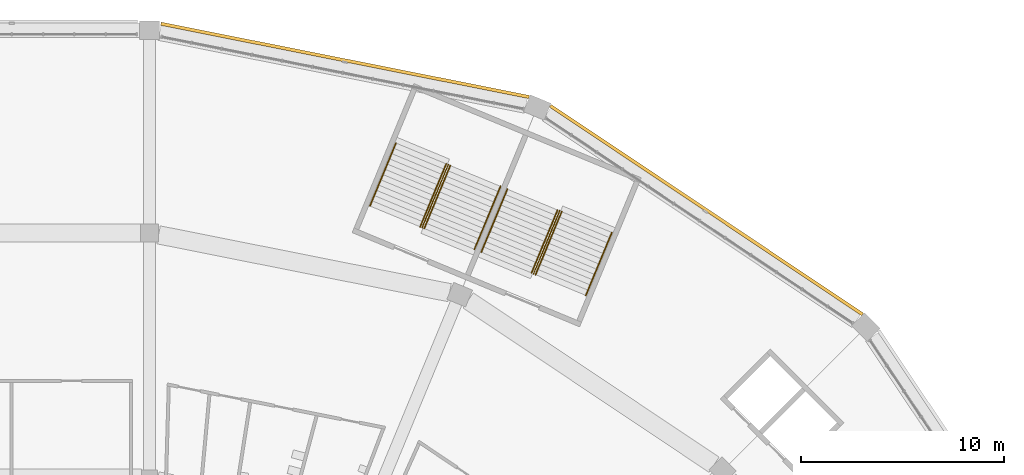
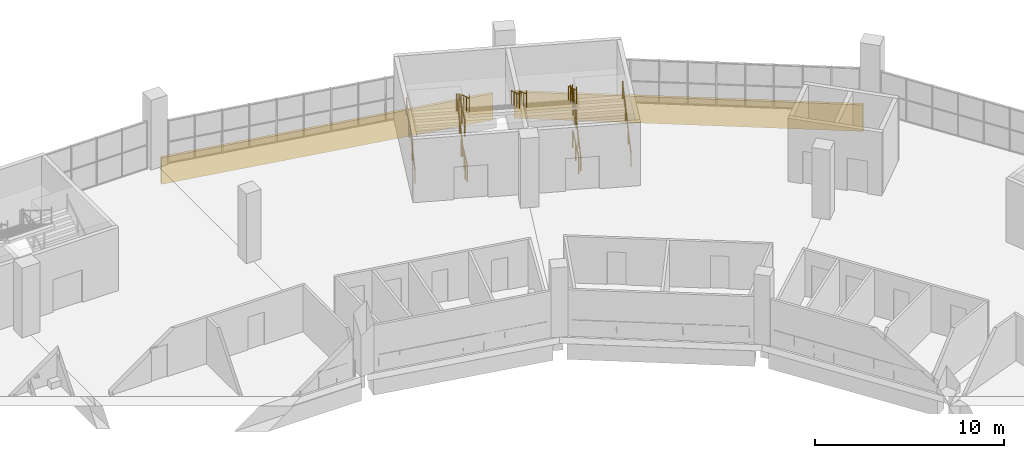
# One storey, part 192 of 199: 12 railings, 2 coverings.
"""IFC4 building model written with IfcOpenShell, lengths in metres."""

import ifcopenshell
import ifcopenshell.guid

model = None  # the IFC model being written
_history = None  # IfcOwnerHistory: only IFC2X3 demands one
_inside = {}  # id of a spatial element -> (the spatial element, [elements in it])
_under = {}  # id of a project, library or spatial element -> (it, [spatial elements below it])
_declared = {}  # id of a project -> (the project, [libraries it declares])
_typed = {}  # id of a type object -> (the type object, [elements of that type])
_made_of = {}  # id of a material, layer set ... -> (it, [elements and type objects made of it])


def new_model(schema):
    """Start an empty IFC model of exactly this schema.

    Asked for "IFC4X3", IfcOpenShell would pick the latest addendum, in which some entities
    have other attributes; the version numbers below select the first issue.
    IFC2X3 requires an IfcOwnerHistory on every rooted entity: one is made here for all.
    """
    global model, _history
    if schema == "IFC4X3":
        model = ifcopenshell.file(schema_version=(4, 3, 0, 0))
    else:
        model = ifcopenshell.file(schema=schema)
    _inside.clear()
    _under.clear()
    _declared.clear()
    _typed.clear()
    _made_of.clear()
    _history = None
    if model.schema == "IFC2X3":
        org = make("IfcOrganization", Name="unknown")
        user = make(
            "IfcPersonAndOrganization",
            ThePerson=make("IfcPerson", FamilyName="unknown"),
            TheOrganization=org,
        )
        app = make(
            "IfcApplication",
            ApplicationDeveloper=org,
            Version="unknown",
            ApplicationFullName="unknown",
            ApplicationIdentifier="unknown",
        )
        _history = make(
            "IfcOwnerHistory",
            OwningUser=user,
            OwningApplication=app,
            ChangeAction="ADDED",
            CreationDate=0,
        )
    return model


def make(cls, **values):
    """One entity of the class cls with the attributes given. An attribute that is None is left unset."""
    return model.create_entity(
        cls, **{name: value for name, value in values.items() if value is not None}
    )


def rooted(cls, **values):
    """An entity with a GlobalId (a new one), such as an element, a storey or a relation."""
    return make(cls, GlobalId=ifcopenshell.guid.new(), OwnerHistory=_history, **values)


def si_unit(unit_type, name, prefix=None):
    """IfcSIUnit, for example si_unit("LENGTHUNIT", "METRE", prefix="MILLI")."""
    return make("IfcSIUnit", UnitType=unit_type, Prefix=prefix, Name=name)


def assignment(units):
    """IfcUnitAssignment: the units of a project."""
    return None if units is None else make("IfcUnitAssignment", Units=units)


def point(xyz):
    """IfcCartesianPoint."""
    return None if xyz is None else make("IfcCartesianPoint", Coordinates=xyz)


def direction(xyz):
    """IfcDirection."""
    return None if xyz is None else make("IfcDirection", DirectionRatios=xyz)


def frame(location, z_axis=None, x_axis=None):
    """IfcAxis2Placement3D, a coordinate frame: its origin and axes. An axis left out is left unset."""
    return make(
        "IfcAxis2Placement3D",
        Location=point(location),
        Axis=direction(z_axis),
        RefDirection=direction(x_axis),
    )


def frame_2d(location, x_axis=None):
    """IfcAxis2Placement2D, a coordinate frame in the plane: its origin and x axis."""
    return make(
        "IfcAxis2Placement2D", Location=point(location), RefDirection=direction(x_axis)
    )


def origin():
    """The frame at (0, 0, 0) with its axes left unset."""
    return frame((0.0, 0.0, 0.0))


def origin_2d():
    """The frame at (0, 0) in the plane with its x axis left unset."""
    return frame_2d((0.0, 0.0))


def place(relative_to, where):
    """IfcLocalPlacement: puts the frame where relative to a parent placement (None: the world)."""
    return make(
        "IfcLocalPlacement", PlacementRelTo=relative_to, RelativePlacement=where
    )


def context(
    kind, dimensions, precision=None, world=None, true_north=None, identifier=None
):
    """IfcGeometricRepresentationContext, for example the 3D "Model" context."""
    return make(
        "IfcGeometricRepresentationContext",
        ContextIdentifier=identifier,
        ContextType=kind,
        CoordinateSpaceDimension=dimensions,
        Precision=precision,
        WorldCoordinateSystem=world,
        TrueNorth=true_north,
    )


def subcontext(parent, identifier, kind, view, scale=None):
    """IfcGeometricRepresentationSubContext, for example "Body" below "Model"."""
    return make(
        "IfcGeometricRepresentationSubContext",
        ContextIdentifier=identifier,
        ContextType=kind,
        ParentContext=parent,
        TargetScale=scale,
        TargetView=view,
    )


def project(units=None, contexts=None):
    """IfcProject with its units and contexts."""
    return rooted(
        "IfcProject",
        Name="project",
        RepresentationContexts=contexts,
        UnitsInContext=assignment(units),
    )


def spatial(cls, under=None, at=None, **own):
    """A site, building, storey or space (cls), placed at a placement, below another one or the project."""
    s = rooted(cls, ObjectPlacement=at, **own)
    if under is not None:
        _under.setdefault(under.id(), (under, []))[1].append(s)
    return s


def polyline(points):
    """IfcPolyline through the points."""
    return make("IfcPolyline", Points=[point(p) for p in points])


def profile(cls, at=None, kind="AREA", **sizes):
    """A parametric profile (cls). Its sizes go by their IFC names, for example OverallWidth=200.0."""
    return make(cls, ProfileType=kind, Position=at, **sizes)


def circle(**sizes):
    """IfcCircleProfileDef."""
    return profile("IfcCircleProfileDef", **sizes)


def outline(outer, holes=None, kind="AREA"):
    """IfcArbitraryClosedProfileDef: a profile drawn as a closed curve; with holes, ...WithVoids."""
    if holes is None:
        return make("IfcArbitraryClosedProfileDef", ProfileType=kind, OuterCurve=outer)
    return make(
        "IfcArbitraryProfileDefWithVoids",
        ProfileType=kind,
        OuterCurve=outer,
        InnerCurves=holes,
    )


def extrude(swept, where, along, depth):
    """IfcExtrudedAreaSolid: the profile swept, set in the frame where, extruded along a direction by depth."""
    return make(
        "IfcExtrudedAreaSolid",
        SweptArea=swept,
        Position=where,
        ExtrudedDirection=direction(along),
        Depth=depth,
    )


def shape(context_of_items, identifier, shape_type, items):
    """IfcShapeRepresentation: the items that make up one representation, for example the "Body"."""
    return make(
        "IfcShapeRepresentation",
        ContextOfItems=context_of_items,
        RepresentationIdentifier=identifier,
        RepresentationType=shape_type,
        Items=items,
    )


def material(Name=None, Category=None):
    """IfcMaterial."""
    return make("IfcMaterial", Name=Name, Category=Category)


def layer(
    of_material, thickness, ventilated=None, Name=None, Category=None, Priority=None
):
    """IfcMaterialLayer: one layer of a wall or slab, of a material (None: an air gap)."""
    return make(
        "IfcMaterialLayer",
        Material=of_material,
        LayerThickness=thickness,
        IsVentilated=ventilated,
        Name=Name,
        Category=Category,
        Priority=Priority,
    )


def layer_set(layers, Name=None):
    """IfcMaterialLayerSet."""
    return make("IfcMaterialLayerSet", MaterialLayers=layers, LayerSetName=Name)


def made_of(thing, what):
    """Note that an element or type object is made of a material, layer set ...; save() writes the relation."""
    if what is not None:
        _made_of.setdefault(what.id(), (what, []))[1].append(thing)
    return thing


def type_object(cls, material=None, **own):
    """A type object (cls), such as IfcWallType, which elements share."""
    return made_of(rooted(cls, **own), material)


def element(
    cls,
    number,
    at=None,
    inside=None,
    cuts=None,
    type_object=None,
    material=None,
    context=None,
    identifier="Body",
    shape_type=None,
    held_by="IfcProductDefinitionShape",
    body=None,
    shapes=None,
    **own,
):
    """One element of the class cls, such as IfcWall. Its Tag is "e" and its number.

    at: its placement. inside: the storey or other place that contains it. cuts: it is an
    opening in that element (IfcRelVoidsElement). A single representation is given by context,
    identifier, shape_type and body (its items); several are given by shapes. held_by: the class
    of the entity that holds the representations. save() writes the other relations.
    """
    e = rooted(cls, Tag="e%d" % number, ObjectPlacement=at, **own)
    if body is not None:
        shapes = [shape(context, identifier, shape_type, body)]
    if shapes is not None:
        e.Representation = make(held_by, Representations=shapes)
    if inside is not None:
        _inside.setdefault(inside.id(), (inside, []))[1].append(e)
    if cuts is not None:
        rooted(
            "IfcRelVoidsElement", RelatingBuildingElement=cuts, RelatedOpeningElement=e
        )
    if type_object is not None:
        _typed.setdefault(type_object.id(), (type_object, []))[1].append(e)
    return made_of(e, material)


def aggregate(whole, parts):
    """IfcRelAggregates: a whole, such as a stair, and the parts it consists of."""
    return rooted("IfcRelAggregates", RelatingObject=whole, RelatedObjects=parts)


def save(model, path):
    """Write the relations noted so far, then the file.

    IfcRelAggregates (storeys below a building ...), IfcRelContainedInSpatialStructure (elements
    in a storey), IfcRelDefinesByType, IfcRelAssociatesMaterial and IfcRelDeclares: one each for
    every whole, place, type object, material and project.
    """
    for whole, parts in _under.values():
        aggregate(whole, parts)
    for where, things in _inside.values():
        rooted(
            "IfcRelContainedInSpatialStructure",
            RelatedElements=things,
            RelatingStructure=where,
        )
    for kind, things in _typed.values():
        rooted("IfcRelDefinesByType", RelatedObjects=things, RelatingType=kind)
    for what, things in _made_of.values():
        rooted("IfcRelAssociatesMaterial", RelatedObjects=things, RelatingMaterial=what)
    for by, libraries in _declared.values():
        rooted("IfcRelDeclares", RelatingContext=by, RelatedDefinitions=libraries)
    model.write(path)


model = new_model("IFC4")

# Units and contexts
model_context = context("Model", 3, precision=1e-05, world=origin(), true_north=direction((0.0, 1.0)))
body_context = subcontext(model_context, "Body", "Model", "MODEL_VIEW")
ifc_project = project(units=[si_unit("LENGTHUNIT", "METRE"), si_unit("AREAUNIT", "SQUARE_METRE"), si_unit("VOLUMEUNIT", "CUBIC_METRE"), si_unit("PLANEANGLEUNIT", "RADIAN"), si_unit("MASSUNIT", "GRAM", prefix="KILO")], contexts=[model_context])

# Site, building, storey
site_placement = place(None, origin())
site = spatial("IfcSite", under=ifc_project, at=site_placement, CompositionType="ELEMENT")
building_placement = place(site_placement, origin())
building = spatial("IfcBuilding", under=site, at=building_placement, Name="Ogive Plaza Stadium", CompositionType="ELEMENT")
storey_placement = place(building_placement, frame((0.0, 0.0, 9.0)))
storey = spatial("IfcBuildingStorey", under=building, at=storey_placement, Name="L02", CompositionType="ELEMENT", Elevation=9.0)

# Railings
ifc_material_1 = material(Name="Steel ASTM A572 Grade 50", Category="steel")
railing_type_1 = type_object("IfcRailingType", Name="Guard 1100", PredefinedType="GUARDRAIL", material=ifc_material_1)
for number, where, name in (
    (1, (52.955078125, 90.48779296875, 0.0), "Stair well guard ST38A L02"),
    (2, (53.322509765625, 91.374755859375, 2.25), "Stair well guard ST38A L02"),
    (3, (47.4580078125, 92.764892578125, 0.0), "Stair well guard ST38B L02"),
    (4, (47.825439453125, 93.651611328125, 2.25), "Stair well guard ST38B L02"),
):
    element("IfcRailing", number, at=place(storey_placement, frame(where)), inside=storey, type_object=railing_type_1, Name=name, PredefinedType="GUARDRAIL", context=body_context, shape_type="SweptSolid", body=[
        extrude(circle(Radius=0.02392578125, at=origin_2d()), frame((0.0, 0.0, 1.076171875), z_axis=(0.382693194178, 0.923875488976, 0.0), x_axis=(-0.923875488976, 0.382693194178, 0.0)), (0.0, 0.0, 1.0), 2.39990234375),
        extrude(circle(Radius=0.02099609375, at=origin_2d()), origin(), (0.0, 0.0, 1.0), 1.052001953125),
        extrude(circle(Radius=0.02099609375, at=origin_2d()), frame((0.459228515625, 1.108642578125, 0.0)), (0.0, 0.0, 1.0), 1.052001953125),
        extrude(circle(Radius=0.02099609375, at=origin_2d()), frame((0.91845703125, 2.21728515625, 0.0)), (0.0, 0.0, 1.0), 1.052001953125),
    ])
ifc_material_2 = material(Name="Steel ASTM A572 Grade 50", Category="steel")
railing_type_2 = type_object("IfcRailingType", Name="Handrail 900", PredefinedType="HANDRAIL", material=ifc_material_2)
railing_1_placement = place(storey_placement, frame((55.53271484375, 89.420166015625, 0.173095703125)))
element("IfcRailing", 5, at=railing_1_placement, inside=storey, type_object=railing_type_2, Name="Handrail ST38A L02", PredefinedType="HANDRAIL", context=body_context, shape_type="SweptSolid", body=[
    extrude(circle(Radius=0.02392578125, at=origin_2d()), frame((0.0, 0.0, 0.8759765625), z_axis=(0.32553207776, 0.785862990074, 0.525783441334), x_axis=(-0.923872479269, 0.382700459954, 0.0)), (0.0, 0.0, 1.0), 3.9501953125),
    extrude(circle(Radius=0.02099609375, at=origin_2d()), origin(), (0.0, 0.0, 1.0), 0.851806640625),
    extrude(circle(Radius=0.02099609375, at=origin_2d()), frame((0.4287109375, 1.03466796875, 0.6923828125)), (0.0, 0.0, 1.0), 0.851806640625),
    extrude(circle(Radius=0.02099609375, at=origin_2d()), frame((0.857177734375, 2.069580078125, 1.384521484375)), (0.0, 0.0, 1.0), 0.851806640625),
    extrude(circle(Radius=0.02099609375, at=origin_2d()), frame((1.285888671875, 3.104248046875, 2.076904296875)), (0.0, 0.0, 1.0), 1.10009765625),
])
railing_2_placement = place(storey_placement, frame((53.056884765625, 90.44580078125, 0.173095703125)))
element("IfcRailing", 6, at=railing_2_placement, inside=storey, type_object=railing_type_2, Name="Handrail ST38A L02", PredefinedType="HANDRAIL", context=body_context, shape_type="SweptSolid", body=[
    extrude(circle(Radius=0.02392578125, at=origin_2d()), frame((0.0, 0.0, 0.8759765625), z_axis=(0.325476819766, 0.785878800478, 0.525794019321), x_axis=(-0.923898168054, 0.382638439086, 0.0)), (0.0, 0.0, 1.0), 3.949951171875),
    extrude(circle(Radius=0.02099609375, at=origin_2d()), origin(), (0.0, 0.0, 1.0), 0.851806640625),
    extrude(circle(Radius=0.02099609375, at=origin_2d()), frame((0.428466796875, 1.03466796875, 0.6923828125)), (0.0, 0.0, 1.0), 0.851806640625),
    extrude(circle(Radius=0.02099609375, at=origin_2d()), frame((0.857177734375, 2.069580078125, 1.384521484375)), (0.0, 0.0, 1.0), 0.851806640625),
    extrude(circle(Radius=0.02099609375, at=origin_2d()), frame((1.28564453125, 3.104248046875, 2.076904296875)), (0.0, 0.0, 1.0), 1.10009765625),
])
railing_3_placement = place(storey_placement, frame((54.139404296875, 93.634033203125, 2.423095703125)))
element("IfcRailing", 7, at=railing_3_placement, inside=storey, type_object=railing_type_2, Name="Handrail ST38A L02", PredefinedType="HANDRAIL", context=body_context, shape_type="SweptSolid", body=[
    extrude(circle(Radius=0.02392578125, at=origin_2d()), frame((0.0, 0.0, 0.8759765625), z_axis=(-0.325547889718, -0.78583935255, 0.525808980033), x_axis=(0.923861836433, -0.382726151683, 0.0)), (0.0, 0.0, 1.0), 3.949951171875),
    extrude(circle(Radius=0.02099609375, at=origin_2d()), origin(), (0.0, 0.0, 1.0), 0.851806640625),
    extrude(circle(Radius=0.02099609375, at=origin_2d()), frame((-0.4287109375, -1.03466796875, 0.6923828125)), (0.0, 0.0, 1.0), 0.851806640625),
    extrude(circle(Radius=0.02099609375, at=origin_2d()), frame((-0.857177734375, -2.0693359375, 1.384521484375)), (0.0, 0.0, 1.0), 0.851806640625),
    extrude(circle(Radius=0.02099609375, at=origin_2d()), frame((-1.285888671875, -3.10400390625, 2.076904296875)), (0.0, 0.0, 1.0), 1.10009765625),
])
railing_4_placement = place(storey_placement, frame((51.663330078125, 94.65966796875, 2.423095703125)))
element("IfcRailing", 8, at=railing_4_placement, inside=storey, type_object=railing_type_2, Name="Handrail ST38A L02", PredefinedType="HANDRAIL", context=body_context, shape_type="SweptSolid", body=[
    extrude(circle(Radius=0.02392578125, at=origin_2d()), frame((0.0, 0.0, 0.8759765625), z_axis=(-0.32553207776, -0.785862990074, 0.525783441334), x_axis=(0.923872479269, -0.382700459954, 0.0)), (0.0, 0.0, 1.0), 3.9501953125),
    extrude(circle(Radius=0.02099609375, at=origin_2d()), origin(), (0.0, 0.0, 1.0), 0.851806640625),
    extrude(circle(Radius=0.02099609375, at=origin_2d()), frame((-0.4287109375, -1.03466796875, 0.6923828125)), (0.0, 0.0, 1.0), 0.851806640625),
    extrude(circle(Radius=0.02099609375, at=origin_2d()), frame((-0.857177734375, -2.069580078125, 1.384521484375)), (0.0, 0.0, 1.0), 0.851806640625),
    extrude(circle(Radius=0.02099609375, at=origin_2d()), frame((-1.285888671875, -3.104248046875, 2.076904296875)), (0.0, 0.0, 1.0), 1.10009765625),
])
for number, where, name in (
    (9, (47.3564453125, 92.806884765625, 0.173095703125), "Handrail ST38B L02"),
    (10, (44.88037109375, 93.83251953125, 0.173095703125), "Handrail ST38B L02"),
):
    element("IfcRailing", number, at=place(storey_placement, frame(where)), inside=storey, type_object=railing_type_2, Name=name, PredefinedType="HANDRAIL", context=body_context, shape_type="SweptSolid", body=[
        extrude(circle(Radius=0.02392578125, at=origin_2d()), frame((0.0, 0.0, 0.8759765625), z_axis=(0.32553207776, 0.785862990074, 0.525783441334), x_axis=(-0.923872479269, 0.382700459954, 0.0)), (0.0, 0.0, 1.0), 3.9501953125),
        extrude(circle(Radius=0.02099609375, at=origin_2d()), origin(), (0.0, 0.0, 1.0), 0.851806640625),
        extrude(circle(Radius=0.02099609375, at=origin_2d()), frame((0.4287109375, 1.03466796875, 0.6923828125)), (0.0, 0.0, 1.0), 0.851806640625),
        extrude(circle(Radius=0.02099609375, at=origin_2d()), frame((0.857177734375, 2.069580078125, 1.384521484375)), (0.0, 0.0, 1.0), 0.851806640625),
        extrude(circle(Radius=0.02099609375, at=origin_2d()), frame((1.285888671875, 3.104248046875, 2.076904296875)), (0.0, 0.0, 1.0), 1.10009765625),
    ])
railing_5_placement = place(storey_placement, frame((51.321533203125, 94.80126953125, 2.423095703125)))
element("IfcRailing", 11, at=railing_5_placement, inside=storey, type_object=railing_type_2, Name="Handrail ST38B L02", PredefinedType="HANDRAIL", context=body_context, shape_type="SweptSolid", body=[
    extrude(circle(Radius=0.02392578125, at=origin_2d()), frame((0.0, 0.0, 0.8759765625), z_axis=(-0.32553207776, -0.785862990074, 0.525783441334), x_axis=(0.923872479269, -0.382700459954, 0.0)), (0.0, 0.0, 1.0), 3.9501953125),
    extrude(circle(Radius=0.02099609375, at=origin_2d()), origin(), (0.0, 0.0, 1.0), 0.851806640625),
    extrude(circle(Radius=0.02099609375, at=origin_2d()), frame((-0.4287109375, -1.03466796875, 0.6923828125)), (0.0, 0.0, 1.0), 0.851806640625),
    extrude(circle(Radius=0.02099609375, at=origin_2d()), frame((-0.857177734375, -2.069580078125, 1.384521484375)), (0.0, 0.0, 1.0), 0.851806640625),
    extrude(circle(Radius=0.02099609375, at=origin_2d()), frame((-1.285888671875, -3.104248046875, 2.076904296875)), (0.0, 0.0, 1.0), 1.10009765625),
])
railing_6_placement = place(storey_placement, frame((48.845458984375, 95.826904296875, 2.423095703125)))
element("IfcRailing", 12, at=railing_6_placement, inside=storey, type_object=railing_type_2, Name="Handrail ST38B L02", PredefinedType="HANDRAIL", context=body_context, shape_type="SweptSolid", body=[
    extrude(circle(Radius=0.02392578125, at=origin_2d()), frame((0.0, 0.0, 0.8759765625), z_axis=(-0.325476819766, -0.785878800478, 0.525794019321), x_axis=(0.923898168054, -0.382638439086, 0.0)), (0.0, 0.0, 1.0), 3.949951171875),
    extrude(circle(Radius=0.02099609375, at=origin_2d()), origin(), (0.0, 0.0, 1.0), 0.851806640625),
    extrude(circle(Radius=0.02099609375, at=origin_2d()), frame((-0.428466796875, -1.03466796875, 0.6923828125)), (0.0, 0.0, 1.0), 0.851806640625),
    extrude(circle(Radius=0.02099609375, at=origin_2d()), frame((-0.857177734375, -2.069580078125, 1.384521484375)), (0.0, 0.0, 1.0), 0.851806640625),
    extrude(circle(Radius=0.02099609375, at=origin_2d()), frame((-1.28564453125, -3.104248046875, 2.076904296875)), (0.0, 0.0, 1.0), 1.10009765625),
])

# Coverings
ifc_material_3 = material(Name="Cast stone (reconstituted limestone)", Category="masonry")
ifc_layer = layer(ifc_material_3, 0.159912109375)
ifc_layer_set = layer_set([ifc_layer], Name="Precast spandrel cladding 160")
covering_type = type_object("IfcCoveringType", Name="Precast spandrel cladding 160", PredefinedType="CLADDING", material=ifc_layer_set)
covering_1_placement = place(storey_placement, frame((0.0, 0.0, -1.7099609375)))
element("IfcCovering", 13, at=covering_1_placement, inside=storey, type_object=covering_type, Name="SPANDREL CLADDING B37 L02", PredefinedType="CLADDING", context=body_context, shape_type="SweptSolid", body=[
    extrude(outline(polyline([(34.550048828125, 102.74755859375), (52.720703125, 99.133056640625), (52.751953125, 99.2900390625), (34.581298828125, 102.904296875), (34.550048828125, 102.74755859375)])), origin(), (0.0, 0.0, 1.0), 1.7099609375),
])
covering_2_placement = place(storey_placement, frame((0.0, 0.0, -1.7099609375)))
element("IfcCovering", 14, at=covering_2_placement, inside=storey, type_object=covering_type, Name="SPANDREL CLADDING B38 L02", PredefinedType="CLADDING", context=body_context, shape_type="SweptSolid", body=[
    extrude(outline(polyline([(53.737060546875, 98.712158203125), (69.141357421875, 88.419189453125), (69.230224609375, 88.55224609375), (53.825927734375, 98.84521484375), (53.737060546875, 98.712158203125)])), origin(), (0.0, 0.0, 1.0), 1.7099609375),
])

save(model, "model.ifc")
